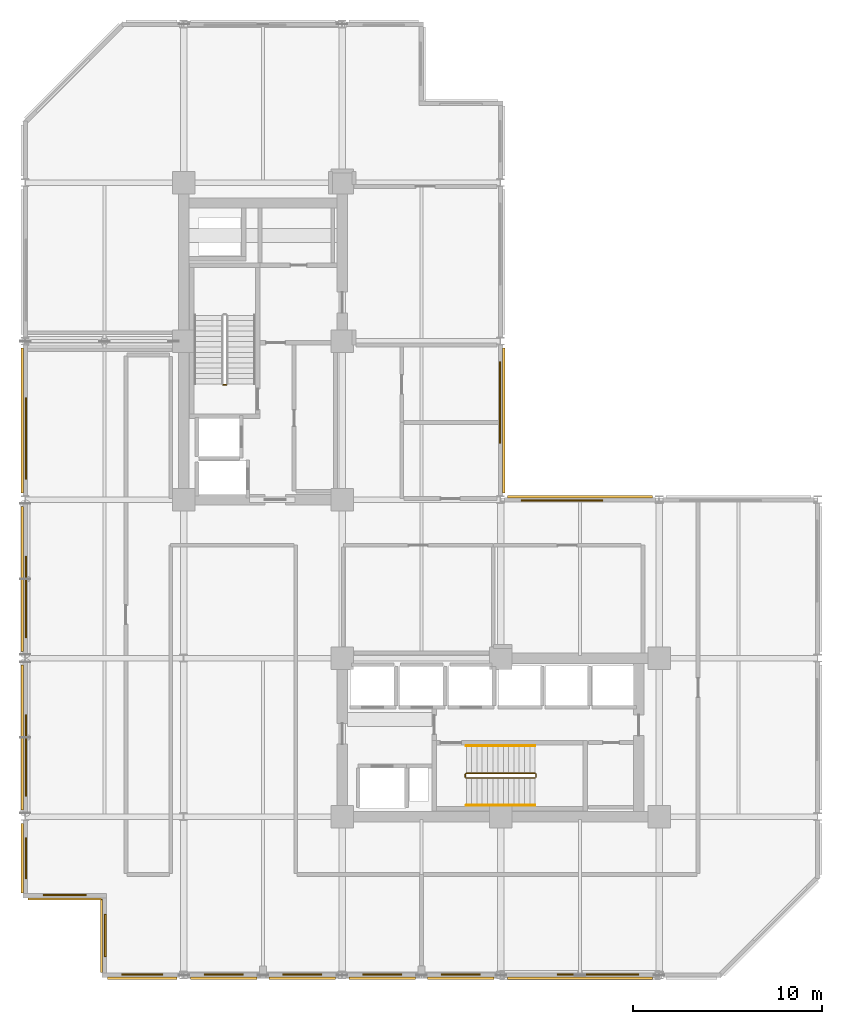
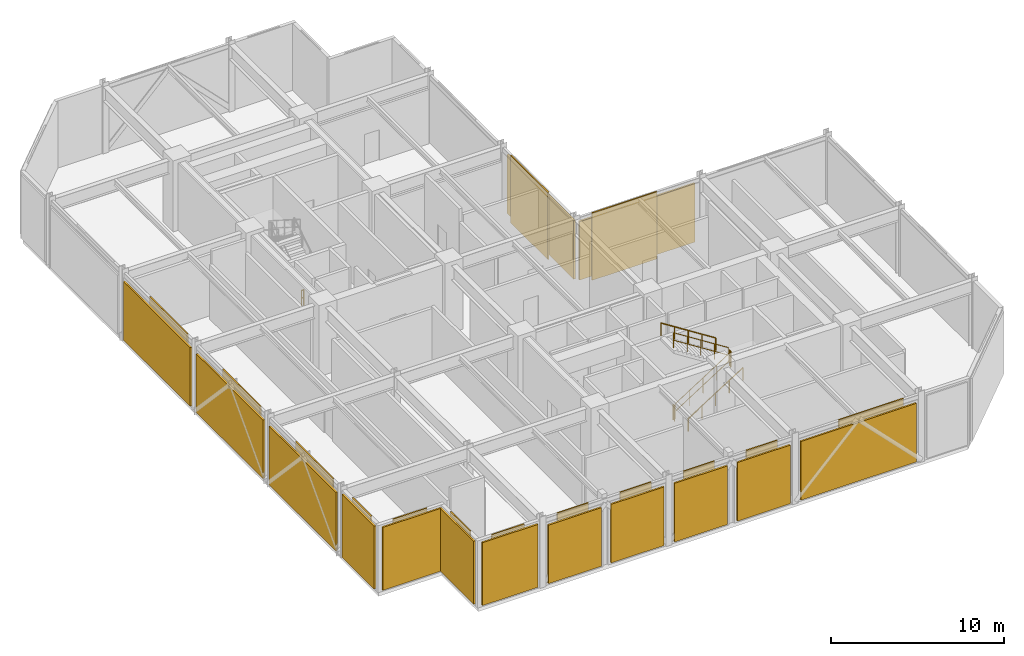
# One storey, part 8 of 10: 14 coverings, 14 shading devices, 7 railings.
"""IFC4 building model written with IfcOpenShell, lengths in metres."""

from ifc_helpers import new_model, si_unit, direction, frame, origin, origin_2d, place, context, subcontext, project, spatial, rectangle, circle, extrude, material, layer, layer_set, type_object, element, save


model = new_model("IFC4")

# Units and contexts
model_context = context("Model", 3, precision=1e-05, world=origin(), true_north=direction((0.0, 1.0)))
body_context = subcontext(model_context, "Body", "Model", "MODEL_VIEW")
ifc_project = project(units=[si_unit("LENGTHUNIT", "METRE"), si_unit("AREAUNIT", "SQUARE_METRE"), si_unit("VOLUMEUNIT", "CUBIC_METRE"), si_unit("PLANEANGLEUNIT", "RADIAN"), si_unit("MASSUNIT", "GRAM", prefix="KILO")], contexts=[model_context])

# Site, building, storey
site_placement = place(None, origin())
site = spatial("IfcSite", under=ifc_project, at=site_placement, CompositionType="ELEMENT")
building_placement = place(site_placement, origin())
building = spatial("IfcBuilding", under=site, at=building_placement, Name="Nerrivon Quay Data Exchange", CompositionType="ELEMENT")
storey_placement = place(building_placement, frame((0.0, 0.0, 162.300048828125)))
storey = spatial("IfcBuildingStorey", under=building, at=storey_placement, Name="L38", CompositionType="ELEMENT", Elevation=162.300048828125)

# Coverings
ifc_material_1 = material(Name="Architectural terracotta ceramic", Category="masonry")
ifc_layer_1 = layer(ifc_material_1, 0.090087890625)
ifc_layer_set_1 = layer_set([ifc_layer_1], Name="Architectural terracotta ceramic")
covering_type = type_object("IfcCoveringType", Name="COV-SCR-TERR", PredefinedType="CLADDING", material=ifc_layer_set_1)
covering_1_placement = place(storey_placement, frame((30.360107421875, 0.044921875, 0.0), z_axis=(0.0, 0.0, 1.0), x_axis=(-1.0, 0.0, 0.0)))
element("IfcCovering", 1, at=covering_1_placement, inside=storey, type_object=covering_type, Name="L38 Perforated Terracotta SOLAR SCREEN Cassette", PredefinedType="CLADDING", context=body_context, shape_type="SweptSolid", body=[
    extrude(rectangle(XDim=4.320068359375, YDim=0.090087890625, at=origin_2d()), origin(), (0.0, 0.0, 1.0), 4.72509765625),
])
for number, where, z_axis, x_axis, name in (
    (2, (23.08740234375, 0.044921875, 0.0), (0.0, 0.0, 1.0), (-1.0, 0.0, 0.0), "L38 Perforated Terracotta SOLAR SCREEN Cassette"),
    (3, (18.91259765625, 0.044921875, 0.0), (0.0, 0.0, 1.0), (-1.0, 0.0, 0.0), "L38 Perforated Terracotta SOLAR SCREEN Cassette"),
):
    element("IfcCovering", number, at=place(storey_placement, frame(where, z_axis=z_axis, x_axis=x_axis)), inside=storey, type_object=covering_type, Name=name, PredefinedType="CLADDING", context=body_context, shape_type="SweptSolid", body=[
        extrude(rectangle(XDim=2.06494140625, YDim=0.090087890625, at=origin_2d()), origin(), (0.0, 0.0, 1.0), 4.72509765625),
    ])
for number, where, z_axis, x_axis, name in (
    (4, (14.6875, 0.044921875, 0.0), (0.0, 0.0, 1.0), (-1.0, 0.0, 0.0), "L38 Perforated Terracotta SOLAR SCREEN Cassette"),
    (5, (10.512451171875, 0.044921875, 0.0), (0.0, 0.0, 1.0), (-1.0, 0.0, 0.0), "L38 Perforated Terracotta SOLAR SCREEN Cassette"),
):
    element("IfcCovering", number, at=place(storey_placement, frame(where, z_axis=z_axis, x_axis=x_axis)), inside=storey, type_object=covering_type, Name=name, PredefinedType="CLADDING", context=body_context, shape_type="SweptSolid", body=[
        extrude(rectangle(XDim=2.06591796875, YDim=0.090087890625, at=origin_2d()), origin(), (0.0, 0.0, 1.0), 4.72509765625),
    ])
covering_2_placement = place(storey_placement, frame((6.199951171875, 0.044921875, 0.0), z_axis=(0.0, 0.0, 1.0), x_axis=(-1.0, 0.0, 0.0)))
element("IfcCovering", 6, at=covering_2_placement, inside=storey, type_object=covering_type, Name="L38 Perforated Terracotta SOLAR SCREEN Cassette", PredefinedType="CLADDING", context=body_context, shape_type="SweptSolid", body=[
    extrude(rectangle(XDim=2.159912109375, YDim=0.090087890625, at=origin_2d()), origin(), (0.0, 0.0, 1.0), 4.72509765625),
])
for number, where, z_axis, x_axis, name in (
    (7, (4.2451171875, 2.10009765625, 0.0), (0.0, 0.0, 1.0), (0.0, 1.0, 0.0), "L38 Perforated Terracotta SOLAR SCREEN Cassette"),
    (8, (2.10009765625, 4.2451171875, 0.0), (0.0, 0.0, 1.0), (-1.0, 0.0, 0.0), "L38 Perforated Terracotta SOLAR SCREEN Cassette"),
):
    element("IfcCovering", number, at=place(storey_placement, frame(where, z_axis=z_axis, x_axis=x_axis)), inside=storey, type_object=covering_type, Name=name, PredefinedType="CLADDING", context=body_context, shape_type="SweptSolid", body=[
        extrude(rectangle(XDim=2.26806640625, YDim=0.090087890625, at=origin_2d()), origin(), (0.0, 0.0, 1.0), 4.72509765625),
    ])
covering_3_placement = place(storey_placement, frame((0.044921875, 6.199951171875, 0.0), z_axis=(0.0, 0.0, 1.0), x_axis=(0.0, 1.0, 0.0)))
element("IfcCovering", 9, at=covering_3_placement, inside=storey, type_object=covering_type, Name="L38 Perforated Terracotta SOLAR SCREEN Cassette", PredefinedType="CLADDING", context=body_context, shape_type="SweptSolid", body=[
    extrude(rectangle(XDim=2.159912109375, YDim=0.090087890625, at=origin_2d()), origin(), (0.0, 0.0, 1.0), 4.72509765625),
])
for number, where, z_axis, x_axis, name in (
    (10, (0.044921875, 11.639892578125, 0.0), (0.0, 0.0, 1.0), (0.0, 1.0, 0.0), "L38 Perforated Terracotta SOLAR SCREEN Cassette"),
    (11, (0.044921875, 20.0400390625, 0.0), (0.0, 0.0, 1.0), (0.0, 1.0, 0.0), "L38 Perforated Terracotta SOLAR SCREEN Cassette"),
    (12, (0.044921875, 28.43994140625, 0.0), (0.0, 0.0, 1.0), (0.0, 1.0, 0.0), "L38 Perforated Terracotta SOLAR SCREEN Cassette"),
    (13, (25.155029296875, 30.360107421875, 0.0), (0.0, 0.0, 1.0), (0.0, -1.0, 0.0), "L38 Perforated Terracotta SOLAR SCREEN Cassette"),
    (14, (28.43994140625, 25.155029296875, 0.0), (0.0, 0.0, 1.0), (1.0, 0.0, 0.0), "L38 Perforated Terracotta SOLAR SCREEN Cassette"),
):
    element("IfcCovering", number, at=place(storey_placement, frame(where, z_axis=z_axis, x_axis=x_axis)), inside=storey, type_object=covering_type, Name=name, PredefinedType="CLADDING", context=body_context, shape_type="SweptSolid", body=[
        extrude(rectangle(XDim=4.320068359375, YDim=0.090087890625, at=origin_2d()), origin(), (0.0, 0.0, 1.0), 4.72509765625),
    ])

# Railings
ifc_material_2 = material(Name="Steel Grade C350L0 (350 MPa)", Category="steel")
railing_type_1 = type_object("IfcRailingType", Name="RAIL-HAND-HR1", PredefinedType="HANDRAIL", material=ifc_material_2)
railing_1_placement = place(storey_placement, frame((23.3798828125, 9.0, 0.178466796875)))
element("IfcRailing", 15, at=railing_1_placement, inside=storey, type_object=railing_type_1, Name="L38 ST02 stair handrail 1", PredefinedType="HANDRAIL", context=body_context, shape_type="SweptSolid", body=[
    extrude(circle(Radius=0.02392578125, at=origin_2d()), frame((0.0, 0.0, 0.8759765625), z_axis=(0.843127859045, 0.0, 0.537713132908), x_axis=(0.0, 1.0, 0.0)), (0.0, 0.0, 1.0), 4.3173828125),
    extrude(circle(Radius=0.02099609375, at=origin_2d()), origin(), (0.0, 0.0, 1.0), 0.851806640625),
    extrude(circle(Radius=0.02099609375, at=origin_2d()), frame((0.91015625, 0.0, 0.580322265625)), (0.0, 0.0, 1.0), 0.851806640625),
    extrude(circle(Radius=0.02099609375, at=origin_2d()), frame((1.820068359375, 0.0, 1.16064453125)), (0.0, 0.0, 1.0), 0.851806640625),
    extrude(circle(Radius=0.02099609375, at=origin_2d()), frame((2.72998046875, 0.0, 1.7412109375)), (0.0, 0.0, 1.0), 0.851806640625),
    extrude(circle(Radius=0.02099609375, at=origin_2d()), frame((3.64013671875, 0.0, 2.321533203125)), (0.0, 0.0, 1.0), 0.851806640625),
])
railing_2_placement = place(storey_placement, frame((27.02001953125, 12.14990234375, 2.678466796875)))
element("IfcRailing", 16, at=railing_2_placement, inside=storey, type_object=railing_type_1, Name="L38 ST02 stair handrail 2", PredefinedType="HANDRAIL", context=body_context, shape_type="SweptSolid", body=[
    extrude(circle(Radius=0.02392578125, at=origin_2d()), frame((0.0, 0.0, 0.8759765625), z_axis=(-0.843127859045, 0.0, 0.537713132908), x_axis=(0.0, -1.0, 0.0)), (0.0, 0.0, 1.0), 4.3173828125),
    extrude(circle(Radius=0.02099609375, at=origin_2d()), origin(), (0.0, 0.0, 1.0), 0.851806640625),
    extrude(circle(Radius=0.02099609375, at=origin_2d()), frame((-0.91015625, 0.0, 0.580322265625)), (0.0, 0.0, 1.0), 0.851806640625),
    extrude(circle(Radius=0.02099609375, at=origin_2d()), frame((-1.820068359375, 0.0, 1.16064453125)), (0.0, 0.0, 1.0), 0.851806640625),
    extrude(circle(Radius=0.02099609375, at=origin_2d()), frame((-2.72998046875, 0.0, 1.7412109375)), (0.0, 0.0, 1.0), 0.851806640625),
    extrude(circle(Radius=0.02099609375, at=origin_2d()), frame((-3.64013671875, 0.0, 2.321533203125)), (0.0, 0.0, 1.0), 0.851806640625),
])
railing_type_2 = type_object("IfcRailingType", Name="RAIL-STAIR-GR1", PredefinedType="BALUSTRADE", material=ifc_material_2)
railing_3_placement = place(storey_placement, frame((10.64990234375, 31.280029296875, 0.0)))
element("IfcRailing", 17, at=railing_3_placement, inside=storey, type_object=railing_type_2, Name="L38 ST01 stair guard 4", PredefinedType="BALUSTRADE", context=body_context, shape_type="SweptSolid", body=[
    extrude(circle(Radius=0.02392578125, at=origin_2d()), frame((0.0, 0.0, 1.076171875), z_axis=(-1.0, 0.0, 0.0), x_axis=(0.0, -1.0, 0.0)), (0.0, 0.0, 1.0), 0.14990234375),
    extrude(circle(Radius=0.02392578125, at=origin_2d()), frame((0.0, 0.0, 0.550048828125), z_axis=(-1.0, 0.0, 0.0), x_axis=(0.0, -1.0, 0.0)), (0.0, 0.0, 1.0), 0.14990234375),
    extrude(circle(Radius=0.02099609375, at=origin_2d()), origin(), (0.0, 0.0, 1.0), 1.052001953125),
    extrude(circle(Radius=0.02099609375, at=origin_2d()), frame((-0.14990234375, 0.0, 0.0)), (0.0, 0.0, 1.0), 1.052001953125),
])
railing_4_placement = place(storey_placement, frame((23.3798828125, 10.449951171875, 0.178466796875)))
element("IfcRailing", 18, at=railing_4_placement, inside=storey, type_object=railing_type_2, Name="L38 ST02 stair guard 1", PredefinedType="BALUSTRADE", context=body_context, shape_type="SweptSolid", body=[
    extrude(circle(Radius=0.02392578125, at=origin_2d()), frame((0.0, 0.0, 1.076171875), z_axis=(0.843127859045, 0.0, 0.537713132908), x_axis=(0.0, 1.0, 0.0)), (0.0, 0.0, 1.0), 4.3173828125),
    extrude(circle(Radius=0.02392578125, at=origin_2d()), frame((0.0, 0.0, 0.550048828125), z_axis=(0.843127859045, 0.0, 0.537713132908), x_axis=(0.0, 1.0, 0.0)), (0.0, 0.0, 1.0), 4.3173828125),
    extrude(circle(Radius=0.02099609375, at=origin_2d()), origin(), (0.0, 0.0, 1.0), 1.052001953125),
    extrude(circle(Radius=0.02099609375, at=origin_2d()), frame((0.91015625, 0.0, 0.580322265625)), (0.0, 0.0, 1.0), 1.052001953125),
    extrude(circle(Radius=0.02099609375, at=origin_2d()), frame((1.820068359375, 0.0, 1.16064453125)), (0.0, 0.0, 1.0), 1.052001953125),
    extrude(circle(Radius=0.02099609375, at=origin_2d()), frame((2.72998046875, 0.0, 1.7412109375)), (0.0, 0.0, 1.0), 1.052001953125),
    extrude(circle(Radius=0.02099609375, at=origin_2d()), frame((3.64013671875, 0.0, 2.321533203125)), (0.0, 0.0, 1.0), 1.052001953125),
])
railing_5_placement = place(storey_placement, frame((27.070068359375, 10.5, 2.5)))
element("IfcRailing", 19, at=railing_5_placement, inside=storey, type_object=railing_type_2, Name="L38 ST02 stair guard 2", PredefinedType="BALUSTRADE", context=body_context, shape_type="SweptSolid", body=[
    extrude(circle(Radius=0.02392578125, at=origin_2d()), frame((0.0, 0.0, 1.076171875), z_axis=(0.0, 1.0, 0.0), x_axis=(-1.0, 0.0, 0.0)), (0.0, 0.0, 1.0), 0.14990234375),
    extrude(circle(Radius=0.02392578125, at=origin_2d()), frame((0.0, 0.0, 0.550048828125), z_axis=(0.0, 1.0, 0.0), x_axis=(-1.0, 0.0, 0.0)), (0.0, 0.0, 1.0), 0.14990234375),
    extrude(circle(Radius=0.02099609375, at=origin_2d()), origin(), (0.0, 0.0, 1.0), 1.052001953125),
    extrude(circle(Radius=0.02099609375, at=origin_2d()), frame((0.0, 0.14990234375, 0.0)), (0.0, 0.0, 1.0), 1.052001953125),
])
railing_6_placement = place(storey_placement, frame((27.02001953125, 10.699951171875, 2.678466796875)))
element("IfcRailing", 20, at=railing_6_placement, inside=storey, type_object=railing_type_2, Name="L38 ST02 stair guard 3", PredefinedType="BALUSTRADE", context=body_context, shape_type="SweptSolid", body=[
    extrude(circle(Radius=0.02392578125, at=origin_2d()), frame((0.0, 0.0, 1.076171875), z_axis=(-0.843127859045, 0.0, 0.537713132908), x_axis=(0.0, -1.0, 0.0)), (0.0, 0.0, 1.0), 4.3173828125),
    extrude(circle(Radius=0.02392578125, at=origin_2d()), frame((0.0, 0.0, 0.550048828125), z_axis=(-0.843127859045, 0.0, 0.537713132908), x_axis=(0.0, -1.0, 0.0)), (0.0, 0.0, 1.0), 4.3173828125),
    extrude(circle(Radius=0.02099609375, at=origin_2d()), origin(), (0.0, 0.0, 1.0), 1.052001953125),
    extrude(circle(Radius=0.02099609375, at=origin_2d()), frame((-0.91015625, 0.0, 0.580322265625)), (0.0, 0.0, 1.0), 1.052001953125),
    extrude(circle(Radius=0.02099609375, at=origin_2d()), frame((-1.820068359375, 0.0, 1.16064453125)), (0.0, 0.0, 1.0), 1.052001953125),
    extrude(circle(Radius=0.02099609375, at=origin_2d()), frame((-2.72998046875, 0.0, 1.7412109375)), (0.0, 0.0, 1.0), 1.052001953125),
    extrude(circle(Radius=0.02099609375, at=origin_2d()), frame((-3.64013671875, 0.0, 2.321533203125)), (0.0, 0.0, 1.0), 1.052001953125),
])
railing_7_placement = place(storey_placement, frame((23.330078125, 10.5, 0.0)))
element("IfcRailing", 21, at=railing_7_placement, inside=storey, type_object=railing_type_2, Name="L38 ST02 stair guard 4", PredefinedType="BALUSTRADE", context=body_context, shape_type="SweptSolid", body=[
    extrude(circle(Radius=0.02392578125, at=origin_2d()), frame((0.0, 0.0, 1.076171875), z_axis=(0.0, 1.0, 0.0), x_axis=(-1.0, 0.0, 0.0)), (0.0, 0.0, 1.0), 0.14990234375),
    extrude(circle(Radius=0.02392578125, at=origin_2d()), frame((0.0, 0.0, 0.550048828125), z_axis=(0.0, 1.0, 0.0), x_axis=(-1.0, 0.0, 0.0)), (0.0, 0.0, 1.0), 0.14990234375),
    extrude(circle(Radius=0.02099609375, at=origin_2d()), origin(), (0.0, 0.0, 1.0), 1.052001953125),
    extrude(circle(Radius=0.02099609375, at=origin_2d()), frame((0.0, 0.14990234375, 0.0)), (0.0, 0.0, 1.0), 1.052001953125),
])

# Shading devices
ifc_material_3 = material(Name="Anodised aluminium 6063-T6", Category="aluminium")
ifc_layer_2 = layer(ifc_material_3, 0.1201171875)
ifc_layer_set_2 = layer_set([ifc_layer_2], Name="Anodised aluminium 6063-T6")
shading_device_type = type_object("IfcShadingDeviceType", Name="SHD-LOUV-LV01", PredefinedType="JALOUSIE", material=ifc_layer_set_2)
shading_device_1_placement = place(storey_placement, frame((29.39990234375, -0.159912109375, 0.14990234375), z_axis=(0.0, 0.0, 1.0), x_axis=(-1.0, 0.0, 0.0)))
element("IfcShadingDevice", 22, at=shading_device_1_placement, inside=storey, type_object=shading_device_type, Name="L38 Acoustic Plant Louvre LV01-3", PredefinedType="JALOUSIE", context=body_context, shape_type="SweptSolid", body=[
    extrude(rectangle(XDim=7.699951171875, YDim=0.1201171875, at=origin_2d()), origin(), (0.0, 0.0, 1.0), 4.125),
])
for number, where, z_axis, x_axis, name in (
    (23, (23.08740234375, -0.159912109375, 0.14990234375), (0.0, 0.0, 1.0), (-1.0, 0.0, 0.0), "L38 Acoustic Plant Louvre LV01-4"),
    (24, (18.91259765625, -0.159912109375, 0.14990234375), (0.0, 0.0, 1.0), (-1.0, 0.0, 0.0), "L38 Acoustic Plant Louvre LV01-5"),
    (25, (14.6875, -0.159912109375, 0.14990234375), (0.0, 0.0, 1.0), (-1.0, 0.0, 0.0), "L38 Acoustic Plant Louvre LV01-6"),
    (26, (10.512451171875, -0.159912109375, 0.14990234375), (0.0, 0.0, 1.0), (-1.0, 0.0, 0.0), "L38 Acoustic Plant Louvre LV01-7"),
):
    element("IfcShadingDevice", number, at=place(storey_placement, frame(where, z_axis=z_axis, x_axis=x_axis)), inside=storey, type_object=shading_device_type, Name=name, PredefinedType="JALOUSIE", context=body_context, shape_type="SweptSolid", body=[
        extrude(rectangle(XDim=3.52490234375, YDim=0.1201171875, at=origin_2d()), origin(), (0.0, 0.0, 1.0), 4.125),
    ])
shading_device_2_placement = place(storey_placement, frame((6.199951171875, -0.159912109375, 0.14990234375), z_axis=(0.0, 0.0, 1.0), x_axis=(-1.0, 0.0, 0.0)))
element("IfcShadingDevice", 27, at=shading_device_2_placement, inside=storey, type_object=shading_device_type, Name="L38 Acoustic Plant Louvre LV01-8", PredefinedType="JALOUSIE", context=body_context, shape_type="SweptSolid", body=[
    extrude(rectangle(XDim=3.699951171875, YDim=0.1201171875, at=origin_2d()), origin(), (0.0, 0.0, 1.0), 4.425048828125),
])
for number, where, z_axis, x_axis, name in (
    (28, (4.0400390625, 2.10009765625, 0.14990234375), (0.0, 0.0, 1.0), (0.0, 1.0, 0.0), "L38 Acoustic Plant Louvre LV01-9"),
    (29, (2.10009765625, 4.0400390625, 0.14990234375), (0.0, 0.0, 1.0), (-1.0, 0.0, 0.0), "L38 Acoustic Plant Louvre LV01-10"),
):
    element("IfcShadingDevice", number, at=place(storey_placement, frame(where, z_axis=z_axis, x_axis=x_axis)), inside=storey, type_object=shading_device_type, Name=name, PredefinedType="JALOUSIE", context=body_context, shape_type="SweptSolid", body=[
        extrude(rectangle(XDim=3.89990234375, YDim=0.1201171875, at=origin_2d()), origin(), (0.0, 0.0, 1.0), 4.425048828125),
    ])
shading_device_3_placement = place(storey_placement, frame((-0.159912109375, 6.199951171875, 0.14990234375), z_axis=(0.0, 0.0, 1.0), x_axis=(0.0, 1.0, 0.0)))
element("IfcShadingDevice", 30, at=shading_device_3_placement, inside=storey, type_object=shading_device_type, Name="L38 Acoustic Plant Louvre LV01-11", PredefinedType="JALOUSIE", context=body_context, shape_type="SweptSolid", body=[
    extrude(rectangle(XDim=3.699951171875, YDim=0.1201171875, at=origin_2d()), origin(), (0.0, 0.0, 1.0), 4.425048828125),
])
for number, where, z_axis, x_axis, name in (
    (31, (-0.159912109375, 12.60009765625, 0.14990234375), (0.0, 0.0, 1.0), (0.0, 1.0, 0.0), "L38 Acoustic Plant Louvre LV01-12"),
    (32, (-0.159912109375, 21.0, 0.14990234375), (0.0, 0.0, 1.0), (0.0, 1.0, 0.0), "L38 Acoustic Plant Louvre LV01-13"),
    (33, (-0.159912109375, 29.39990234375, 0.14990234375), (0.0, 0.0, 1.0), (0.0, 1.0, 0.0), "L38 Acoustic Plant Louvre LV01-14"),
    (34, (25.360107421875, 29.39990234375, 0.14990234375), (0.0, 0.0, 1.0), (0.0, -1.0, 0.0), "L38 Acoustic Plant Louvre LV01-25"),
    (35, (29.39990234375, 25.360107421875, 0.14990234375), (0.0, 0.0, 1.0), (1.0, 0.0, 0.0), "L38 Acoustic Plant Louvre LV01-26"),
):
    element("IfcShadingDevice", number, at=place(storey_placement, frame(where, z_axis=z_axis, x_axis=x_axis)), inside=storey, type_object=shading_device_type, Name=name, PredefinedType="JALOUSIE", context=body_context, shape_type="SweptSolid", body=[
        extrude(rectangle(XDim=7.699951171875, YDim=0.1201171875, at=origin_2d()), origin(), (0.0, 0.0, 1.0), 4.125),
    ])

save(model, "model.ifc")
